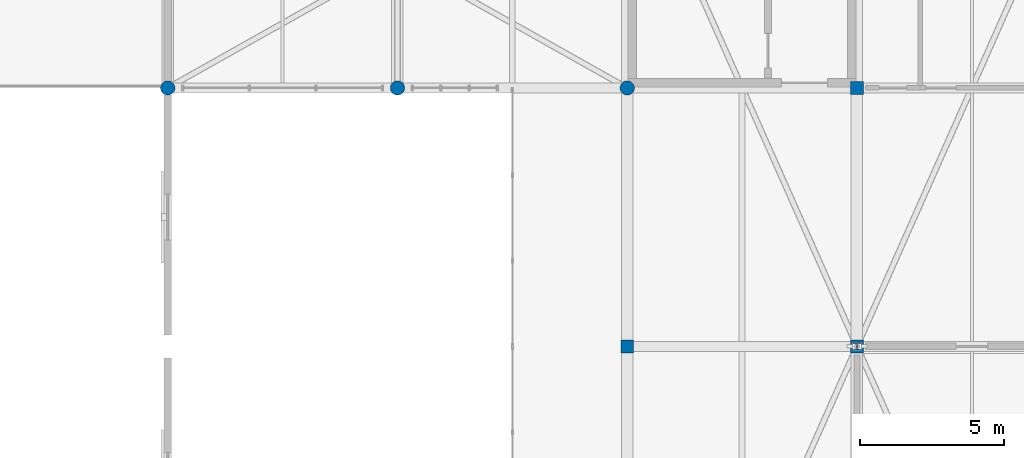
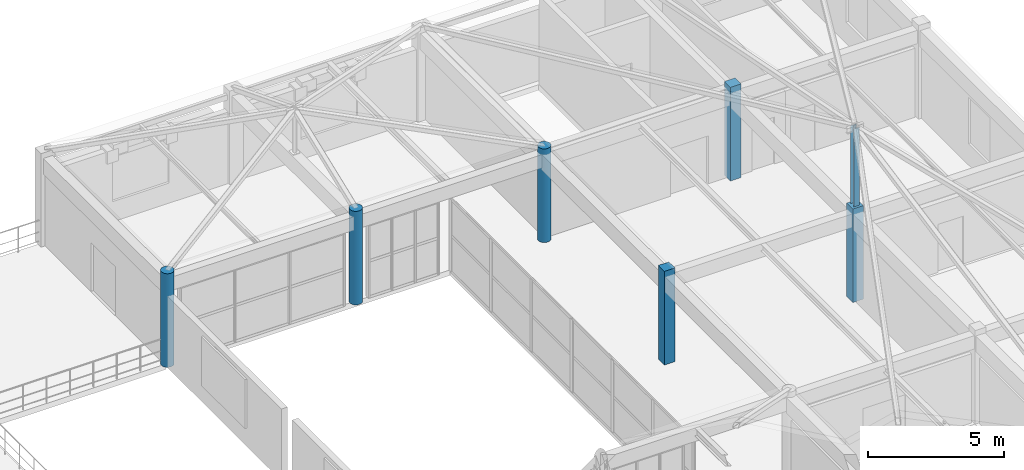
# One storey, part 2 of 63: 7 columns.
"""IFC4 building model written with IfcOpenShell, lengths in metres."""

from ifc_helpers import new_model, si_unit, direction, frame, origin, origin_2d, place, context, subcontext, project, spatial, rectangle, circle, i_section, extrude, material, material_profile, profile_set, type_object, element, save


model = new_model("IFC4")

# Units and contexts
model_context = context("Model", 3, precision=1e-05, world=origin(), true_north=direction((0.0, 1.0)))
body_context = subcontext(model_context, "Body", "Model", "MODEL_VIEW")
ifc_project = project(units=[si_unit("LENGTHUNIT", "METRE"), si_unit("AREAUNIT", "SQUARE_METRE"), si_unit("VOLUMEUNIT", "CUBIC_METRE"), si_unit("PLANEANGLEUNIT", "RADIAN"), si_unit("MASSUNIT", "GRAM", prefix="KILO")], contexts=[model_context])

# Site, building, storey
site_placement = place(None, origin())
site = spatial("IfcSite", under=ifc_project, at=site_placement, CompositionType="ELEMENT")
building_placement = place(site_placement, origin())
building = spatial("IfcBuilding", under=site, at=building_placement, Name="Varnabhumi Central Station", CompositionType="ELEMENT")
storey_placement = place(building_placement, frame((0.0, 0.0, 20.39990234375)))
storey = spatial("IfcBuildingStorey", under=building, at=storey_placement, Name="L04", CompositionType="ELEMENT", Elevation=20.39990234375)

# Columns
ifc_material_1 = material(Name="Concrete M40", Category="concrete")
ifc_material_profile_1 = material_profile(ifc_material_1, rectangle(XDim=0.449951171875, YDim=0.449951171875, at=origin_2d()), Name="Concrete M40", Category="concrete")
ifc_profile_set_1 = profile_set([ifc_material_profile_1], Name="Concrete M40")
column_type_1 = type_object("IfcColumnType", Name="COL-RC-450", PredefinedType="COLUMN", material=ifc_profile_set_1)
for number, where, z_axis, x_axis, name in (
    (1, (80.0, 98.0, 0.0), (0.0, 0.0, 1.0), (1.0, 0.0, 0.0), "Column L04-11M"),
    (2, (88.0, 98.0, 0.0), (0.0, 0.0, 1.0), (1.0, 0.0, 0.0), "Column L04-12M"),
    (3, (88.0, 107.0, 0.0), (0.0, 0.0, 1.0), (1.0, 0.0, 0.0), "Column L04-12N"),
):
    element("IfcColumn", number, at=place(storey_placement, frame(where, z_axis=z_axis, x_axis=x_axis)), inside=storey, type_object=column_type_1, Name=name, PredefinedType="COLUMN", context=body_context, shape_type="SweptSolid", body=[
        extrude(rectangle(XDim=0.449951171875, YDim=0.449951171875, at=origin_2d()), origin(), (0.0, 0.0, 1.0), 4.2001953125),
    ])
ifc_material_profile_2 = material_profile(ifc_material_1, circle(Radius=0.25, at=origin_2d()), Name="Concrete M40", Category="concrete")
ifc_profile_set_2 = profile_set([ifc_material_profile_2], Name="Concrete M40")
column_type_2 = type_object("IfcColumnType", Name="COL-RC-D500", PredefinedType="COLUMN", material=ifc_profile_set_2)
for number, where, z_axis, x_axis, name in (
    (4, (64.0, 107.0, 0.0), (0.0, 0.0, 1.0), (1.0, 0.0, 0.0), "Column L04-9N"),
    (5, (72.0, 107.0, 0.0), (0.0, 0.0, 1.0), (1.0, 0.0, 0.0), "Column L04-10N"),
    (6, (80.0, 107.0, 0.0), (0.0, 0.0, 1.0), (1.0, 0.0, 0.0), "Column L04-11N"),
):
    element("IfcColumn", number, at=place(storey_placement, frame(where, z_axis=z_axis, x_axis=x_axis)), inside=storey, type_object=column_type_2, Name=name, PredefinedType="COLUMN", context=body_context, shape_type="SweptSolid", body=[
        extrude(circle(Radius=0.25, at=origin_2d()), origin(), (0.0, 0.0, 1.0), 4.2001953125),
    ])
ifc_material_2 = material(Name="Structural steel E350", Category="steel")
ifc_material_profile_3 = material_profile(ifc_material_2, i_section(OverallWidth=0.25, OverallDepth=0.25, WebThickness=0.0087890625, FlangeThickness=0.009765625, FilletRadius=0.010009765625, at=origin_2d()), Name="Structural steel E350", Category="steel")
ifc_profile_set_3 = profile_set([ifc_material_profile_3], Name="Structural steel E350")
column_type_3 = type_object("IfcColumnType", Name="COL-STL-ISHB250", PredefinedType="COLUMN", material=ifc_profile_set_3)
column_placement = place(storey_placement, frame((88.0, 98.0, 4.2001953125), z_axis=(0.0, 0.0, 1.0), x_axis=(1.0, 0.0, 0.0)))
element("IfcColumn", 7, at=column_placement, inside=storey, type_object=column_type_3, Name="Roof Ridge King-Post NBP5-2", PredefinedType="COLUMN", context=body_context, shape_type="SweptSolid", body=[
    extrude(i_section(OverallWidth=0.25, OverallDepth=0.25, WebThickness=0.0087890625, FlangeThickness=0.009765625, FilletRadius=0.010009765625, at=origin_2d()), origin(), (0.0, 0.0, 1.0), 3.5),
])

save(model, "model.ifc")
